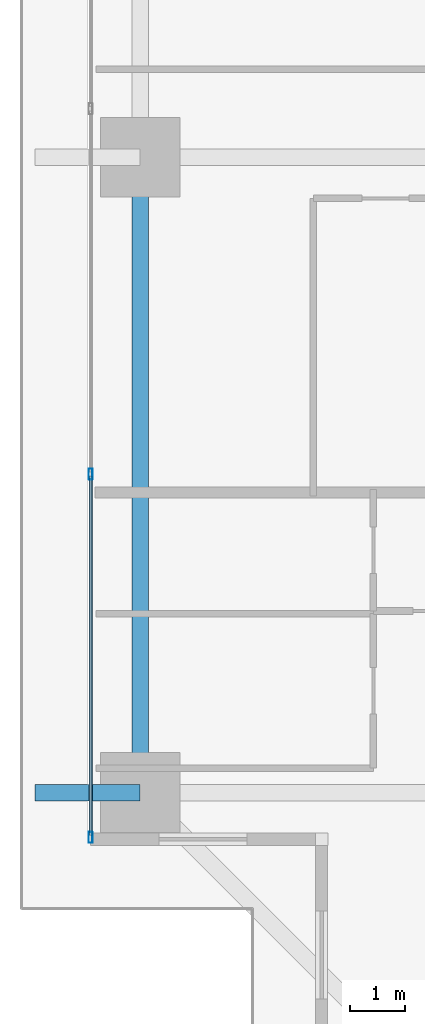
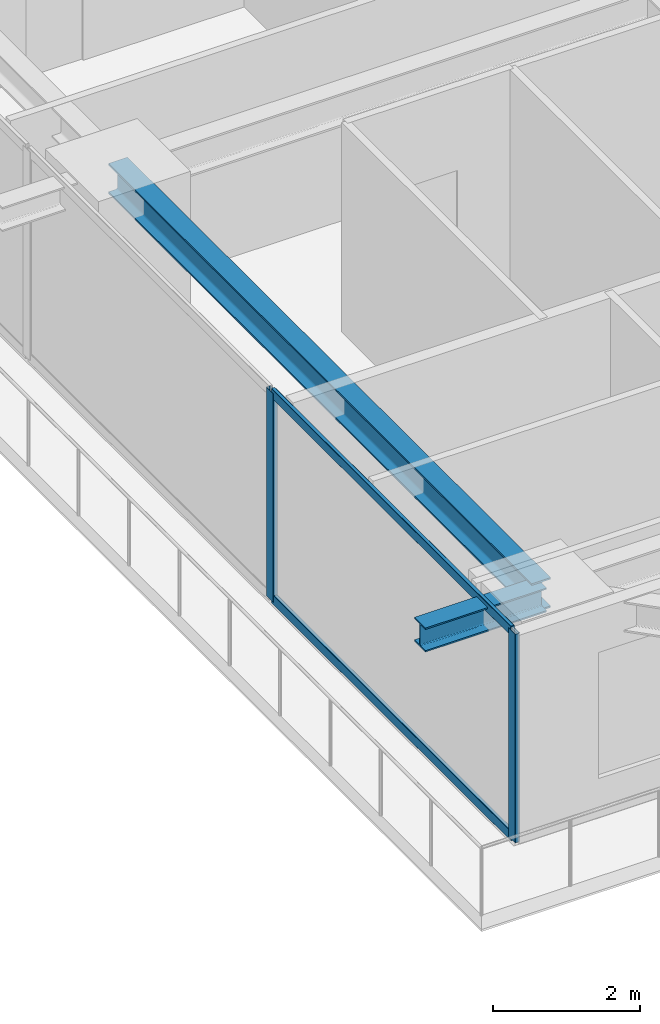
# One storey, part 3 of 37: 4 members, 2 beams, 1 element without a shape of its own.
"""IFC4 building model written with IfcOpenShell, lengths in metres."""

from ifc_helpers import new_model, si_unit, direction, frame, origin, origin_2d, place, context, subcontext, project, spatial, hollow_rectangle, i_section, extrude, source, transform, mapped, material, layer, layer_set, material_profile, profile_set, type_object, element, aggregate, save


model = new_model("IFC4")

# Units and contexts
model_context = context("Model", 3, precision=1e-05, world=origin(), true_north=direction((0.0, 1.0)))
body_context = subcontext(model_context, "Body", "Model", "MODEL_VIEW")
ifc_project = project(units=[si_unit("LENGTHUNIT", "METRE"), si_unit("AREAUNIT", "SQUARE_METRE"), si_unit("VOLUMEUNIT", "CUBIC_METRE"), si_unit("PLANEANGLEUNIT", "RADIAN"), si_unit("MASSUNIT", "GRAM", prefix="KILO")], contexts=[model_context])

# Site, building, storey
site_placement = place(None, origin())
site = spatial("IfcSite", under=ifc_project, at=site_placement, CompositionType="ELEMENT")
building_placement = place(site_placement, origin())
building = spatial("IfcBuilding", under=site, at=building_placement, Name="Serunith Strait Residences", CompositionType="ELEMENT")
storey_placement = place(building_placement, frame((0.0, 0.0, 34.199951171875)))
storey = spatial("IfcBuildingStorey", under=building, at=storey_placement, Name="L07", CompositionType="ELEMENT", Elevation=34.199951171875)

# Beams
ifc_material_1 = material(Name="Steel S355J2", Category="steel")
ifc_material_profile_1 = material_profile(ifc_material_1, i_section(OverallWidth=0.300048828125, OverallDepth=0.5, WebThickness=0.014404296875, FlangeThickness=0.028076171875, FilletRadius=0.027099609375, at=origin_2d()), Name="HEB 500")
ifc_profile_set_1 = profile_set([ifc_material_profile_1], Name="Steel S355J2")
beam_type_1 = type_object("IfcBeamType", Name="BM-HEB500", PredefinedType="BEAM", material=ifc_profile_set_1)
shared_shape_1 = source(origin(), body_context, "Body", "SweptSolid", [
    extrude(i_section(OverallWidth=0.300048828125, OverallDepth=0.5, WebThickness=0.014404296875, FlangeThickness=0.028076171875, FilletRadius=0.027099609375, at=origin_2d()), origin(), (0.0, 0.0, 1.0), 11.550048828125),
])
beam_1_placement = place(storey_placement, frame((6.89990234375, 21.0, 3.237060546875), z_axis=(0.0, -1.0, 0.0), x_axis=(1.0, 0.0, 0.0)))
element("IfcBeam", 1, at=beam_1_placement, inside=storey, type_object=beam_type_1, Name="L07 Perimeter Ring Beam 15", PredefinedType="BEAM", context=body_context, shape_type="MappedRepresentation", body=[
    mapped(shared_shape_1, transform((0.0, 0.0, 0.0), scale=1.0)),
])
ifc_material_profile_2 = material_profile(ifc_material_1, i_section(OverallWidth=0.300048828125, OverallDepth=0.39990234375, WebThickness=0.013427734375, FlangeThickness=0.02392578125, FilletRadius=0.027099609375, at=origin_2d()), Name="HEB 400")
ifc_profile_set_2 = profile_set([ifc_material_profile_2], Name="Steel S355J2")
beam_type_2 = type_object("IfcBeamType", Name="BM-HEB400", PredefinedType="BEAM", material=ifc_profile_set_2)
shared_shape_2 = source(origin(), body_context, "Body", "SweptSolid", [
    extrude(i_section(OverallWidth=0.300048828125, OverallDepth=0.39990234375, WebThickness=0.013427734375, FlangeThickness=0.02392578125, FilletRadius=0.027099609375, at=origin_2d()), origin(), (0.0, 0.0, 1.0), 1.909912109375),
])
beam_2_placement = place(storey_placement, frame((6.89990234375, 9.449951171875, 3.257080078125), z_axis=(-1.0, 0.0, 0.0), x_axis=(0.0, -1.0, 0.0)))
element("IfcBeam", 2, at=beam_2_placement, inside=storey, type_object=beam_type_2, Name="L08 Cantilevered Balcony Rib TC-W1", PredefinedType="BEAM", context=body_context, shape_type="MappedRepresentation", body=[
    mapped(shared_shape_2, transform((0.0, 0.0, 0.0), scale=1.0)),
])

# Curtain wall, members
ifc_material_2 = material(Name="Pale-Champagne Anodised Aluminium", Category="aluminium")
ifc_layer = layer(ifc_material_2, 0.199951171875, Name="Pale-Champagne Anodised Aluminium")
ifc_layer_set = layer_set([ifc_layer], Name="Pale-Champagne Anodised Aluminium")
curtain_wall_type = type_object("IfcCurtainWallType", Name="CW-SYS1", PredefinedType="NOTDEFINED", material=ifc_layer_set)
curtain_wall_placement = place(storey_placement, origin())
curtain_wall = element("IfcCurtainWall", 3, at=curtain_wall_placement, inside=storey, type_object=curtain_wall_type, Name="L07 W Unitised Fritted Curtain Wall", PredefinedType="NOTDEFINED")
ifc_material_profile_3 = material_profile(ifc_material_2, hollow_rectangle(XDim=0.070068359375, YDim=0.199951171875, WallThickness=0.00390625, InnerFilletRadius=0.006103515625, OuterFilletRadius=0.010009765625, at=origin_2d()), Name="ALU 200x70x4")
ifc_profile_set_3 = profile_set([ifc_material_profile_3], Name="Pale-Champagne Anodised Aluminium")
member_type_1 = type_object("IfcMemberType", Name="CW-SYS1-MULL", PredefinedType="MULLION", material=ifc_profile_set_3)
shared_shape_3 = source(origin(), body_context, "Body", "SweptSolid", [
    extrude(hollow_rectangle(XDim=0.070068359375, YDim=0.199951171875, WallThickness=0.00390625, InnerFilletRadius=0.006103515625, OuterFilletRadius=0.010009765625, at=origin_2d()), origin(), (0.0, 0.0, 1.0), 3.47509765625),
])
member_1_placement = place(storey_placement, frame((6.0, 15.239990234375, 0.0), z_axis=(0.0, 0.0, 1.0), x_axis=(1.0, 0.0, 0.0)))
member_1 = element("IfcMember", 4, at=member_1_placement, type_object=member_type_1, Name="CW-1 mullion 5", PredefinedType="MULLION", context=body_context, shape_type="MappedRepresentation", body=[
    mapped(shared_shape_3, transform((0.0, 0.0, 0.0), scale=1.0)),
])
member_2_placement = place(storey_placement, frame((6.0, 8.635009765625, 0.0), z_axis=(0.0, 0.0, 1.0), x_axis=(1.0, 0.0, 0.0)))
member_2 = element("IfcMember", 5, at=member_2_placement, type_object=member_type_1, Name="CW-1 mullion 6", PredefinedType="MULLION", context=body_context, shape_type="MappedRepresentation", body=[
    mapped(shared_shape_3, transform((0.0, 0.0, 0.0), scale=1.0)),
])
ifc_material_profile_4 = material_profile(ifc_material_2, hollow_rectangle(XDim=0.06005859375, YDim=0.159912109375, WallThickness=0.00341796875, InnerFilletRadius=0.00537109375, OuterFilletRadius=0.0087890625, at=origin_2d()), Name="ALU 160x60x3.5")
ifc_profile_set_4 = profile_set([ifc_material_profile_4], Name="Pale-Champagne Anodised Aluminium")
member_type_2 = type_object("IfcMemberType", Name="CW-SYS1-TRAN", PredefinedType="USERDEFINED", material=ifc_profile_set_4)
shared_shape_4 = source(origin(), body_context, "Body", "SweptSolid", [
    extrude(hollow_rectangle(XDim=0.06005859375, YDim=0.159912109375, WallThickness=0.00341796875, InnerFilletRadius=0.00537109375, OuterFilletRadius=0.0087890625, at=origin_2d()), origin(), (0.0, 0.0, 1.0), 6.53515625),
])
member_3_placement = place(storey_placement, frame((6.0, 15.205078125, 0.030029296875), z_axis=(0.0, -1.0, 0.0), x_axis=(1.0, 0.0, 0.0)))
member_3 = element("IfcMember", 6, at=member_3_placement, type_object=member_type_2, Name="CW-1 transom 5.1", ObjectType="TRANSOM", PredefinedType="USERDEFINED", context=body_context, shape_type="MappedRepresentation", body=[
    mapped(shared_shape_4, transform((0.0, 0.0, 0.0), scale=1.0)),
])
member_4_placement = place(storey_placement, frame((6.0, 15.205078125, 3.445068359375), z_axis=(0.0, -1.0, 0.0), x_axis=(1.0, 0.0, 0.0)))
member_4 = element("IfcMember", 7, at=member_4_placement, type_object=member_type_2, Name="CW-1 transom 5.2", ObjectType="TRANSOM", PredefinedType="USERDEFINED", context=body_context, shape_type="MappedRepresentation", body=[
    mapped(shared_shape_4, transform((0.0, 0.0, 0.0), scale=1.0)),
])
aggregate(curtain_wall, [member_1, member_2, member_3, member_4])

save(model, "model.ifc")
